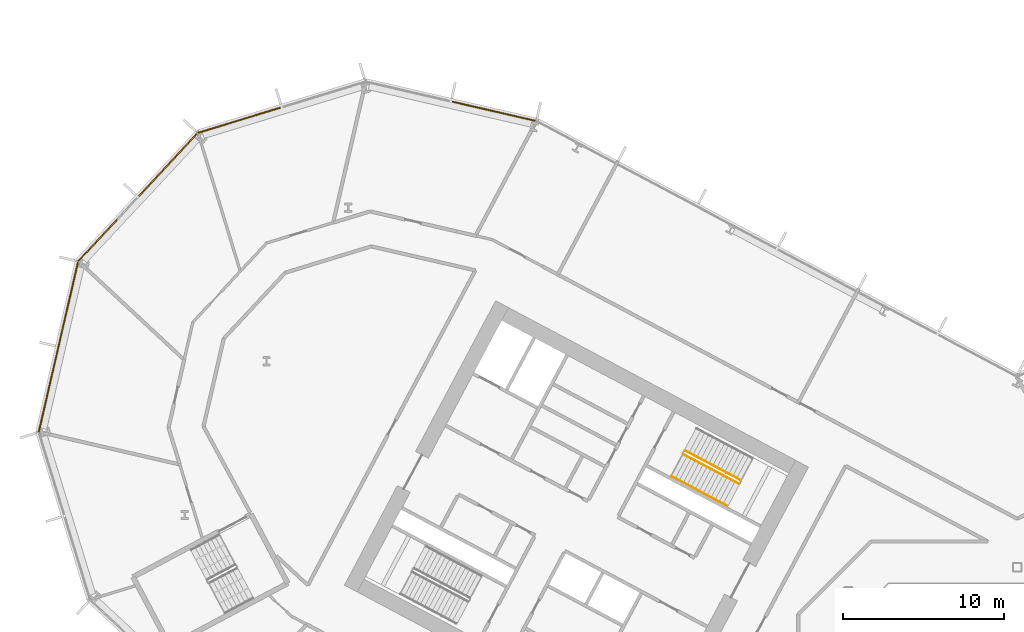
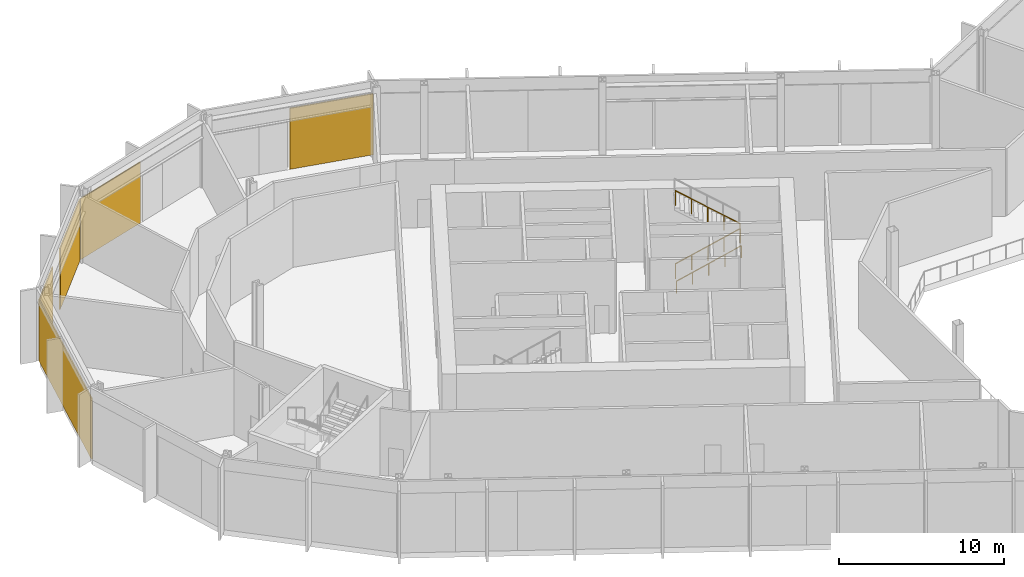
# One storey, part 24 of 31: 5 coverings, 3 railings, 4 elements without a shape of their own.
"""IFC4 building model written with IfcOpenShell, lengths in metres."""

from ifc_helpers import new_model, si_unit, direction, frame, origin, origin_2d, place, context, subcontext, project, spatial, polyline, rectangle, outline, extrude, material, layer, layer_set, type_object, element, aggregate, save


model = new_model("IFC4")

# Units and contexts
model_context = context("Model", 3, precision=1e-05, world=origin(), true_north=direction((0.0, 1.0)))
body_context = subcontext(model_context, "Body", "Model", "MODEL_VIEW")
ifc_project = project(units=[si_unit("LENGTHUNIT", "METRE"), si_unit("AREAUNIT", "SQUARE_METRE"), si_unit("VOLUMEUNIT", "CUBIC_METRE"), si_unit("PLANEANGLEUNIT", "RADIAN"), si_unit("MASSUNIT", "GRAM", prefix="KILO")], contexts=[model_context])

# Site, building, storey
site_placement = place(None, origin())
site = spatial("IfcSite", under=ifc_project, at=site_placement, CompositionType="ELEMENT")
building_placement = place(site_placement, origin())
building = spatial("IfcBuilding", under=site, at=building_placement, Name="Cormorant Relay Tower", CompositionType="ELEMENT")
storey_placement = place(building_placement, frame((0.0, 0.0, 12.199951171875)))
storey = spatial("IfcBuildingStorey", under=building, at=storey_placement, Name="L02", CompositionType="ELEMENT", Elevation=12.199951171875)

# Curtain wall, covering
ifc_material_1 = material(Name="Aluminium 6063-T6 anodised bronze", Category="aluminium")
ifc_layer_1 = layer(ifc_material_1, 0.235107421875)
ifc_layer_set_1 = layer_set([ifc_layer_1], Name="CW6 data hall curtain wall with mineral wool panels")
curtain_wall_type = type_object("IfcCurtainWallType", Name="CW6 data hall curtain wall with mineral wool panels", PredefinedType="NOTDEFINED", material=ifc_layer_set_1)
curtain_wall_1_placement = place(storey_placement, origin())
curtain_wall_1 = element("IfcCurtainWall", 1, at=curtain_wall_1_placement, inside=storey, type_object=curtain_wall_type, Name="CW6 curtain wall 8", PredefinedType="NOTDEFINED")
ifc_material_2 = material(Name="Mineral wool cored anodised bronze aluminium cassette panel", Category="aluminium")
ifc_layer_2 = layer(ifc_material_2, 0.074951171875)
ifc_layer_set_2 = layer_set([ifc_layer_2], Name="CW6 mineral wool cassette panel 75")
covering_type = type_object("IfcCoveringType", Name="CW6 mineral wool cassette panel 75", PredefinedType="CLADDING", material=ifc_layer_set_2)
covering_1_placement = place(storey_placement, frame((-32.51318359375, 40.31591796875, 0.0), z_axis=(0.0, 0.0, 1.0), x_axis=(-0.974370064785, 0.224951054344, 0.0)))
covering_1 = element("IfcCovering", 2, at=covering_1_placement, type_object=covering_type, Name="CW6 panel S00", PredefinedType="CLADDING", context=body_context, shape_type="SweptSolid", body=[
    extrude(rectangle(XDim=5.28515625, YDim=0.074951171875, at=origin_2d()), origin(), (0.0, 0.0, 1.0), 4.5),
])
aggregate(curtain_wall_1, [covering_1])

curtain_wall_2_placement = place(storey_placement, origin())
curtain_wall_2 = element("IfcCurtainWall", 3, at=curtain_wall_2_placement, inside=storey, type_object=curtain_wall_type, Name="CW6 curtain wall 9", PredefinedType="NOTDEFINED")
covering_2_placement = place(storey_placement, frame((-48.308837890625, 39.754638671875, 0.0), z_axis=(0.0, 0.0, 1.0), x_axis=(-0.956304755963, -0.292371704723, 0.0)))
covering_2 = element("IfcCovering", 4, at=covering_2_placement, type_object=covering_type, Name="CW6 panel S02", PredefinedType="CLADDING", context=body_context, shape_type="SweptSolid", body=[
    extrude(rectangle(XDim=5.360107421875, YDim=0.074951171875, at=origin_2d()), origin(), (0.0, 0.0, 1.0), 4.5),
])
aggregate(curtain_wall_2, [covering_2])

# Curtain wall, coverings
curtain_wall_3_placement = place(storey_placement, origin())
curtain_wall_3 = element("IfcCurtainWall", 5, at=curtain_wall_3_placement, inside=storey, type_object=curtain_wall_type, Name="CW6 curtain wall 10", PredefinedType="NOTDEFINED")
covering_3_placement = place(storey_placement, frame((-52.74169921875, 36.973388671875, 0.0), z_axis=(0.0, 0.0, 1.0), x_axis=(-0.681998360062, -0.731353701619, 0.0)))
covering_3 = element("IfcCovering", 6, at=covering_3_placement, type_object=covering_type, Name="CW6 panel S00", PredefinedType="CLADDING", context=body_context, shape_type="SweptSolid", body=[
    extrude(rectangle(XDim=5.28515625, YDim=0.074951171875, at=origin_2d()), origin(), (0.0, 0.0, 1.0), 4.5),
])
covering_4_placement = place(storey_placement, frame((-57.087890625, 32.3125, 0.0), z_axis=(0.0, 0.0, 1.0), x_axis=(-0.681998360062, -0.731353701619, 0.0)))
covering_4 = element("IfcCovering", 7, at=covering_4_placement, type_object=covering_type, Name="CW6 panel S02", PredefinedType="CLADDING", context=body_context, shape_type="SweptSolid", body=[
    extrude(rectangle(XDim=3.560302734375, YDim=0.074951171875, at=origin_2d()), origin(), (0.0, 0.0, 1.0), 4.5),
])
aggregate(curtain_wall_3, [covering_3, covering_4])

# Curtain wall, covering
curtain_wall_4_placement = place(storey_placement, origin())
curtain_wall_4 = element("IfcCurtainWall", 8, at=curtain_wall_4_placement, inside=storey, type_object=curtain_wall_type, Name="CW6 curtain wall 11", PredefinedType="NOTDEFINED")
covering_5_placement = place(storey_placement, frame((-59.542236328125, 25.6611328125, 0.0), z_axis=(0.0, 0.0, 1.0), x_axis=(-0.224951054344, -0.974370064785, 0.0)))
covering_5 = element("IfcCovering", 9, at=covering_5_placement, type_object=covering_type, Name="CW6 panel S00", PredefinedType="CLADDING", context=body_context, shape_type="SweptSolid", body=[
    extrude(rectangle(XDim=10.79541015625, YDim=0.074951171875, at=origin_2d()), origin(), (0.0, 0.0, 1.0), 4.5),
])
aggregate(curtain_wall_4, [covering_5])

# Railings
ifc_material_3 = material(Name="Steel ASTM A572 Grade 50 (Fy 345 MPa)", Category="steel")
railing_type_1 = type_object("IfcRailingType", Name="Stair guard 1100", PredefinedType="GUARDRAIL", material=ifc_material_3)
railing_1_placement = place(storey_placement, frame((-20.75048828125, 19.017822265625, 0.179931640625)))
element("IfcRailing", 10, at=railing_1_placement, inside=storey, type_object=railing_type_1, Name="L02 A1 stair guard 1", PredefinedType="GUARDRAIL", context=body_context, shape_type="SweptSolid", body=[
    extrude(outline(polyline([(0.022216796875, 0.00927734375), (0.00927734375, 0.022216796875), (-0.00927734375, 0.022216796875), (-0.022216796875, 0.00927734375), (-0.022216796875, -0.00927734375), (-0.00927734375, -0.022216796875), (0.00927734375, -0.022216796875), (0.022216796875, -0.00927734375), (0.022216796875, 0.00927734375)])), frame((0.0, 0.0, 1.076171875), z_axis=(0.74271721126, -0.394907409077, 0.540758062681), x_axis=(0.469469396681, 0.882948744594, 0.0)), (0.0, 0.0, 1.0), 4.66015625),
    extrude(outline(polyline([(0.019287109375, 0.008056640625), (0.008056640625, 0.019287109375), (-0.008056640625, 0.019287109375), (-0.019287109375, 0.008056640625), (-0.019287109375, -0.008056640625), (-0.008056640625, -0.019287109375), (0.008056640625, -0.019287109375), (0.019287109375, -0.008056640625), (0.019287109375, 0.008056640625)])), origin(), (0.0, 0.0, 1.0), 1.052001953125),
    extrude(outline(polyline([(0.019287109375, 0.008056640625), (0.008056640625, 0.019287109375), (-0.008056640625, 0.019287109375), (-0.019287109375, 0.008056640625), (-0.019287109375, -0.008056640625), (-0.008056640625, -0.019287109375), (0.008056640625, -0.019287109375), (0.019287109375, -0.008056640625), (0.019287109375, 0.008056640625)])), frame((0.865234375, -0.4599609375, 0.6298828125)), (0.0, 0.0, 1.0), 1.052001953125),
    extrude(outline(polyline([(0.019287109375, 0.008056640625), (0.008056640625, 0.019287109375), (-0.008056640625, 0.019287109375), (-0.019287109375, 0.008056640625), (-0.019287109375, -0.008056640625), (-0.008056640625, -0.019287109375), (0.008056640625, -0.019287109375), (0.019287109375, -0.008056640625), (0.019287109375, 0.008056640625)])), frame((1.73046875, -0.920166015625, 1.260009765625)), (0.0, 0.0, 1.0), 1.052001953125),
    extrude(outline(polyline([(0.019287109375, 0.008056640625), (0.008056640625, 0.019287109375), (-0.008056640625, 0.019287109375), (-0.019287109375, 0.008056640625), (-0.019287109375, -0.008056640625), (-0.008056640625, -0.019287109375), (0.008056640625, -0.019287109375), (0.019287109375, -0.008056640625), (0.019287109375, 0.008056640625)])), frame((2.595947265625, -1.38037109375, 1.89013671875)), (0.0, 0.0, 1.0), 1.052001953125),
    extrude(outline(polyline([(0.019287109375, 0.008056640625), (0.008056640625, 0.019287109375), (-0.008056640625, 0.019287109375), (-0.019287109375, 0.008056640625), (-0.019287109375, -0.008056640625), (-0.008056640625, -0.019287109375), (0.008056640625, -0.019287109375), (0.019287109375, -0.008056640625), (0.019287109375, 0.008056640625)])), frame((3.461181640625, -1.84033203125, 2.52001953125)), (0.0, 0.0, 1.0), 1.052001953125),
])
railing_2_placement = place(storey_placement, frame((-17.172119140625, 17.398193359375, 2.880126953125)))
element("IfcRailing", 11, at=railing_2_placement, inside=storey, type_object=railing_type_1, Name="L02 A1 stair guard 3", PredefinedType="GUARDRAIL", context=body_context, shape_type="SweptSolid", body=[
    extrude(outline(polyline([(0.022216796875, 0.00927734375), (0.00927734375, 0.022216796875), (-0.00927734375, 0.022216796875), (-0.022216796875, 0.00927734375), (-0.022216796875, -0.00927734375), (-0.00927734375, -0.022216796875), (0.00927734375, -0.022216796875), (0.022216796875, -0.00927734375), (0.022216796875, 0.00927734375)])), frame((0.0, 0.0, 1.076171875), z_axis=(-0.74271721126, 0.394907409077, 0.540758062681), x_axis=(-0.469469396681, -0.882948744594, 0.0)), (0.0, 0.0, 1.0), 4.66015625),
    extrude(outline(polyline([(0.019287109375, 0.008056640625), (0.008056640625, 0.019287109375), (-0.008056640625, 0.019287109375), (-0.019287109375, 0.008056640625), (-0.019287109375, -0.008056640625), (-0.008056640625, -0.019287109375), (0.008056640625, -0.019287109375), (0.019287109375, -0.008056640625), (0.019287109375, 0.008056640625)])), origin(), (0.0, 0.0, 1.0), 1.052001953125),
    extrude(outline(polyline([(0.019287109375, 0.008056640625), (0.008056640625, 0.019287109375), (-0.008056640625, 0.019287109375), (-0.019287109375, 0.008056640625), (-0.019287109375, -0.008056640625), (-0.008056640625, -0.019287109375), (0.008056640625, -0.019287109375), (0.019287109375, -0.008056640625), (0.019287109375, 0.008056640625)])), frame((-0.865234375, 0.4599609375, 0.6298828125)), (0.0, 0.0, 1.0), 1.052001953125),
    extrude(outline(polyline([(0.019287109375, 0.008056640625), (0.008056640625, 0.019287109375), (-0.008056640625, 0.019287109375), (-0.019287109375, 0.008056640625), (-0.019287109375, -0.008056640625), (-0.008056640625, -0.019287109375), (0.008056640625, -0.019287109375), (0.019287109375, -0.008056640625), (0.019287109375, 0.008056640625)])), frame((-1.73046875, 0.920166015625, 1.260009765625)), (0.0, 0.0, 1.0), 1.052001953125),
    extrude(outline(polyline([(0.019287109375, 0.008056640625), (0.008056640625, 0.019287109375), (-0.008056640625, 0.019287109375), (-0.019287109375, 0.008056640625), (-0.019287109375, -0.008056640625), (-0.008056640625, -0.019287109375), (0.008056640625, -0.019287109375), (0.019287109375, -0.008056640625), (0.019287109375, 0.008056640625)])), frame((-2.595947265625, 1.38037109375, 1.89013671875)), (0.0, 0.0, 1.0), 1.052001953125),
    extrude(outline(polyline([(0.019287109375, 0.008056640625), (0.008056640625, 0.019287109375), (-0.008056640625, 0.019287109375), (-0.019287109375, 0.008056640625), (-0.019287109375, -0.008056640625), (-0.008056640625, -0.019287109375), (0.008056640625, -0.019287109375), (0.019287109375, -0.008056640625), (0.019287109375, 0.008056640625)])), frame((-3.461181640625, 1.84033203125, 2.52001953125)), (0.0, 0.0, 1.0), 1.052001953125),
])
ifc_material_4 = material(Name="Steel ASTM A572 Grade 50 (Fy 345 MPa)", Category="steel")
railing_type_2 = type_object("IfcRailingType", Name="Stair handrail 900", PredefinedType="HANDRAIL", material=ifc_material_4)
railing_3_placement = place(storey_placement, frame((-21.478271484375, 17.6494140625, 0.179931640625)))
element("IfcRailing", 12, at=railing_3_placement, inside=storey, type_object=railing_type_2, Name="L02 A1 stair handrail 1", PredefinedType="HANDRAIL", context=body_context, shape_type="SweptSolid", body=[
    extrude(outline(polyline([(0.022216796875, 0.00927734375), (0.00927734375, 0.022216796875), (-0.00927734375, 0.022216796875), (-0.022216796875, 0.00927734375), (-0.022216796875, -0.00927734375), (-0.00927734375, -0.022216796875), (0.00927734375, -0.022216796875), (0.022216796875, -0.00927734375), (0.022216796875, 0.00927734375)])), frame((0.0, 0.0, 0.8759765625), z_axis=(0.74271721126, -0.394907409077, 0.540758062681), x_axis=(0.469469396681, 0.882948744594, 0.0)), (0.0, 0.0, 1.0), 4.66015625),
    extrude(outline(polyline([(0.019287109375, 0.008056640625), (0.008056640625, 0.019287109375), (-0.008056640625, 0.019287109375), (-0.019287109375, 0.008056640625), (-0.019287109375, -0.008056640625), (-0.008056640625, -0.019287109375), (0.008056640625, -0.019287109375), (0.019287109375, -0.008056640625), (0.019287109375, 0.008056640625)])), origin(), (0.0, 0.0, 1.0), 0.851806640625),
    extrude(outline(polyline([(0.019287109375, 0.008056640625), (0.008056640625, 0.019287109375), (-0.008056640625, 0.019287109375), (-0.019287109375, 0.008056640625), (-0.019287109375, -0.008056640625), (-0.008056640625, -0.019287109375), (0.008056640625, -0.019287109375), (0.019287109375, -0.008056640625), (0.019287109375, 0.008056640625)])), frame((0.865234375, -0.4599609375, 0.6298828125)), (0.0, 0.0, 1.0), 0.851806640625),
    extrude(outline(polyline([(0.019287109375, 0.008056640625), (0.008056640625, 0.019287109375), (-0.008056640625, 0.019287109375), (-0.019287109375, 0.008056640625), (-0.019287109375, -0.008056640625), (-0.008056640625, -0.019287109375), (0.008056640625, -0.019287109375), (0.019287109375, -0.008056640625), (0.019287109375, 0.008056640625)])), frame((1.73046875, -0.920166015625, 1.260009765625)), (0.0, 0.0, 1.0), 0.851806640625),
    extrude(outline(polyline([(0.019287109375, 0.008056640625), (0.008056640625, 0.019287109375), (-0.008056640625, 0.019287109375), (-0.019287109375, 0.008056640625), (-0.019287109375, -0.008056640625), (-0.008056640625, -0.019287109375), (0.008056640625, -0.019287109375), (0.019287109375, -0.008056640625), (0.019287109375, 0.008056640625)])), frame((2.595947265625, -1.38037109375, 1.89013671875)), (0.0, 0.0, 1.0), 0.851806640625),
    extrude(outline(polyline([(0.019287109375, 0.008056640625), (0.008056640625, 0.019287109375), (-0.008056640625, 0.019287109375), (-0.019287109375, 0.008056640625), (-0.019287109375, -0.008056640625), (-0.008056640625, -0.019287109375), (0.008056640625, -0.019287109375), (0.019287109375, -0.008056640625), (0.019287109375, 0.008056640625)])), frame((3.461181640625, -1.84033203125, 2.52001953125)), (0.0, 0.0, 1.0), 0.851806640625),
])

save(model, "model.ifc")
